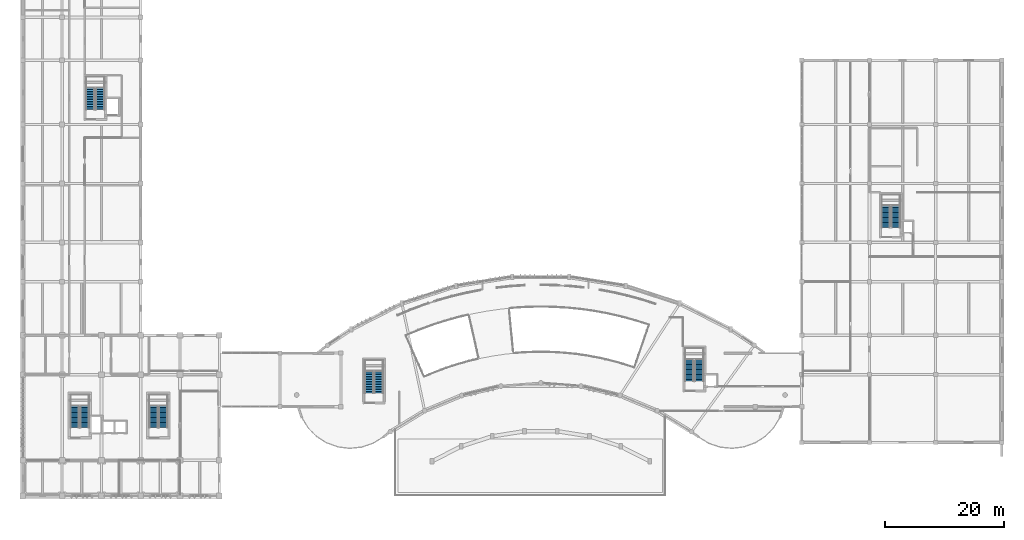
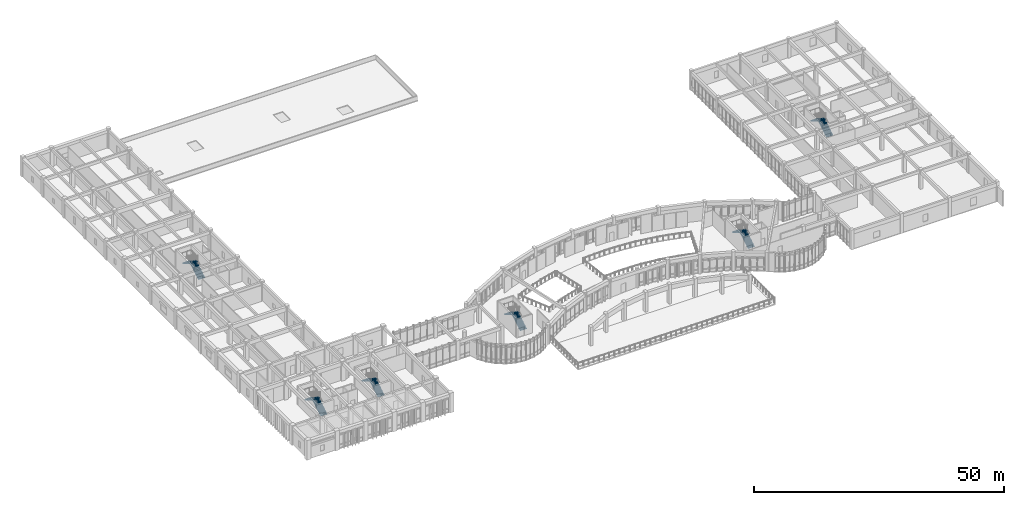
# One storey, part 55 of 65: 12 stair flights, 6 elements without a shape of their own.
"""IFC4 building model written with IfcOpenShell, lengths in metres."""

from ifc_helpers import new_model, si_unit, direction, frame, origin, place, context, subcontext, project, spatial, polyline, outline, extrude, material, layer, layer_set, type_object, element, aggregate, save


model = new_model("IFC4")

# Units and contexts
model_context = context("Model", 3, precision=1e-05, world=origin(), true_north=direction((0.0, 1.0)))
body_context = subcontext(model_context, "Body", "Model", "MODEL_VIEW")
ifc_project = project(units=[si_unit("LENGTHUNIT", "METRE"), si_unit("AREAUNIT", "SQUARE_METRE"), si_unit("VOLUMEUNIT", "CUBIC_METRE"), si_unit("PLANEANGLEUNIT", "RADIAN"), si_unit("MASSUNIT", "GRAM", prefix="KILO")], contexts=[model_context])

# Site, building, storey
site_placement = place(None, origin())
site = spatial("IfcSite", under=ifc_project, at=site_placement, CompositionType="ELEMENT")
building_placement = place(site_placement, origin())
building = spatial("IfcBuilding", under=site, at=building_placement, Name="Miralva Faculty of Natural Sciences", CompositionType="ELEMENT")
storey_placement = place(building_placement, frame((0.0, 0.0, 10.199951171875)))
storey = spatial("IfcBuildingStorey", under=building, at=storey_placement, Name="L02", CompositionType="ELEMENT", Elevation=10.199951171875)

# Stair, stair flights
ifc_material = material(Name="Concrete C40/50", Category="concrete")
stair_type = type_object("IfcStairType", Name="ST-CORE-480", PredefinedType="HALF_TURN_STAIR", material=ifc_material)
stair_1_placement = place(storey_placement, origin())
stair_1 = element("IfcStair", 1, at=stair_1_placement, inside=storey, type_object=stair_type, Name="Exit Stair Core C1 (ST-02) L02", PredefinedType="HALF_TURN_STAIR")
ifc_layer = layer(ifc_material, 0.159912109375, Name="SFL-160-171")
ifc_layer_set = layer_set([ifc_layer], Name="Concrete C40/50")
stair_flight_type = type_object("IfcStairFlightType", Name="SFL-160-171", PredefinedType="STRAIGHT", material=ifc_layer_set)
stair_flight_1_placement = place(storey_placement, frame((13.39990234375, 14.5, 0.0), z_axis=(0.0, 0.0, 1.0), x_axis=(0.0, 1.0, 0.0)))
stair_flight_1 = element("IfcStairFlight", 2, at=stair_flight_1_placement, type_object=stair_flight_type, Name="ST-02 flight 1", NumberOfRisers=14, NumberOfTreads=13, PredefinedType="STRAIGHT", RiserHeight=0.171428571, TreadLength=0.28, context=body_context, shape_type="SweptSolid", body=[
    extrude(outline(polyline([(0.0, 0.0), (0.0, 0.17138671875), (0.280029296875, 0.17138671875), (0.280029296875, 0.3427734375), (0.56005859375, 0.3427734375), (0.56005859375, 0.514404296875), (0.840087890625, 0.514404296875), (0.840087890625, 0.685791015625), (1.1201171875, 0.685791015625), (1.1201171875, 0.857177734375), (1.39990234375, 0.857177734375), (1.39990234375, 1.028564453125), (1.679931640625, 1.028564453125), (1.679931640625, 1.199951171875), (1.9599609375, 1.199951171875), (1.9599609375, 1.371337890625), (2.239990234375, 1.371337890625), (2.239990234375, 1.54296875), (2.52001953125, 1.54296875), (2.52001953125, 1.71435546875), (2.800048828125, 1.71435546875), (2.800048828125, 1.8857421875), (3.080078125, 1.8857421875), (3.080078125, 2.05712890625), (3.360107421875, 2.05712890625), (3.360107421875, 2.228515625), (3.639892578125, 2.228515625), (3.639892578125, 2.39990234375), (3.639892578125, 2.052734375), (0.287109375, 0.0), (0.0, 0.0)])), frame((0.0, 0.75, 0.0), z_axis=(0.0, -1.0, 0.0), x_axis=(1.0, 0.0, 0.0)), (0.0, 0.0, 1.0), 1.5),
])
stair_flight_2_placement = place(storey_placement, frame((11.75, 18.139892578125, 2.400146484375), z_axis=(0.0, 0.0, 1.0), x_axis=(0.0, -1.0, 0.0)))
stair_flight_2 = element("IfcStairFlight", 3, at=stair_flight_2_placement, type_object=stair_flight_type, Name="ST-02 flight 2", NumberOfRisers=14, NumberOfTreads=13, PredefinedType="STRAIGHT", RiserHeight=0.171428571, TreadLength=0.28, context=body_context, shape_type="SweptSolid", body=[
    extrude(outline(polyline([(0.0, 0.0), (0.0, 0.17138671875), (0.280029296875, 0.17138671875), (0.280029296875, 0.3427734375), (0.56005859375, 0.3427734375), (0.56005859375, 0.514404296875), (0.840087890625, 0.514404296875), (0.840087890625, 0.685791015625), (1.1201171875, 0.685791015625), (1.1201171875, 0.857177734375), (1.39990234375, 0.857177734375), (1.39990234375, 1.028564453125), (1.679931640625, 1.028564453125), (1.679931640625, 1.199951171875), (1.9599609375, 1.199951171875), (1.9599609375, 1.371337890625), (2.239990234375, 1.371337890625), (2.239990234375, 1.54296875), (2.52001953125, 1.54296875), (2.52001953125, 1.71435546875), (2.800048828125, 1.71435546875), (2.800048828125, 1.8857421875), (3.080078125, 1.8857421875), (3.080078125, 2.05712890625), (3.360107421875, 2.05712890625), (3.360107421875, 2.228515625), (3.639892578125, 2.228515625), (3.639892578125, 2.39990234375), (3.639892578125, 2.052734375), (0.287109375, 0.0), (0.0, 0.0)])), frame((0.0, 0.75, 0.0), z_axis=(0.0, -1.0, 0.0), x_axis=(1.0, 0.0, 0.0)), (0.0, 0.0, 1.0), 1.5),
])
aggregate(stair_1, [stair_flight_1, stair_flight_2])

stair_2_placement = place(storey_placement, origin())
stair_2 = element("IfcStair", 4, at=stair_2_placement, inside=storey, type_object=stair_type, Name="Exit Stair Core C1B (ST-02) L02", PredefinedType="HALF_TURN_STAIR")
stair_flight_3_placement = place(storey_placement, frame((26.60009765625, 14.5, 0.0), z_axis=(0.0, 0.0, 1.0), x_axis=(0.0, 1.0, 0.0)))
stair_flight_3 = element("IfcStairFlight", 5, at=stair_flight_3_placement, type_object=stair_flight_type, Name="ST-02 flight 1", NumberOfRisers=14, NumberOfTreads=13, PredefinedType="STRAIGHT", RiserHeight=0.171428571, TreadLength=0.28, context=body_context, shape_type="SweptSolid", body=[
    extrude(outline(polyline([(0.0, 0.0), (0.0, 0.17138671875), (0.280029296875, 0.17138671875), (0.280029296875, 0.3427734375), (0.56005859375, 0.3427734375), (0.56005859375, 0.514404296875), (0.840087890625, 0.514404296875), (0.840087890625, 0.685791015625), (1.1201171875, 0.685791015625), (1.1201171875, 0.857177734375), (1.39990234375, 0.857177734375), (1.39990234375, 1.028564453125), (1.679931640625, 1.028564453125), (1.679931640625, 1.199951171875), (1.9599609375, 1.199951171875), (1.9599609375, 1.371337890625), (2.239990234375, 1.371337890625), (2.239990234375, 1.54296875), (2.52001953125, 1.54296875), (2.52001953125, 1.71435546875), (2.800048828125, 1.71435546875), (2.800048828125, 1.8857421875), (3.080078125, 1.8857421875), (3.080078125, 2.05712890625), (3.360107421875, 2.05712890625), (3.360107421875, 2.228515625), (3.639892578125, 2.228515625), (3.639892578125, 2.39990234375), (3.639892578125, 2.052734375), (0.287109375, 0.0), (0.0, 0.0)])), frame((0.0, 0.75, 0.0), z_axis=(0.0, -1.0, 0.0), x_axis=(1.0, 0.0, 0.0)), (0.0, 0.0, 1.0), 1.5),
])
stair_flight_4_placement = place(storey_placement, frame((24.949951171875, 18.139892578125, 2.400146484375), z_axis=(0.0, 0.0, 1.0), x_axis=(0.0, -1.0, 0.0)))
stair_flight_4 = element("IfcStairFlight", 6, at=stair_flight_4_placement, type_object=stair_flight_type, Name="ST-02 flight 2", NumberOfRisers=14, NumberOfTreads=13, PredefinedType="STRAIGHT", RiserHeight=0.171428571, TreadLength=0.28, context=body_context, shape_type="SweptSolid", body=[
    extrude(outline(polyline([(0.0, 0.0), (0.0, 0.17138671875), (0.280029296875, 0.17138671875), (0.280029296875, 0.3427734375), (0.56005859375, 0.3427734375), (0.56005859375, 0.514404296875), (0.840087890625, 0.514404296875), (0.840087890625, 0.685791015625), (1.1201171875, 0.685791015625), (1.1201171875, 0.857177734375), (1.39990234375, 0.857177734375), (1.39990234375, 1.028564453125), (1.679931640625, 1.028564453125), (1.679931640625, 1.199951171875), (1.9599609375, 1.199951171875), (1.9599609375, 1.371337890625), (2.239990234375, 1.371337890625), (2.239990234375, 1.54296875), (2.52001953125, 1.54296875), (2.52001953125, 1.71435546875), (2.800048828125, 1.71435546875), (2.800048828125, 1.8857421875), (3.080078125, 1.8857421875), (3.080078125, 2.05712890625), (3.360107421875, 2.05712890625), (3.360107421875, 2.228515625), (3.639892578125, 2.228515625), (3.639892578125, 2.39990234375), (3.639892578125, 2.052734375), (0.287109375, 0.0), (0.0, 0.0)])), frame((0.0, 0.75, 0.0), z_axis=(0.0, -1.0, 0.0), x_axis=(1.0, 0.0, 0.0)), (0.0, 0.0, 1.0), 1.5),
])
aggregate(stair_2, [stair_flight_3, stair_flight_4])

stair_3_placement = place(storey_placement, origin())
stair_3 = element("IfcStair", 7, at=stair_3_placement, inside=storey, type_object=stair_type, Name="Exit Stair Core C2 (ST-02) L02", PredefinedType="HALF_TURN_STAIR")
stair_flight_5_placement = place(storey_placement, frame((16.0, 67.89990234375, 0.0), z_axis=(0.0, 0.0, 1.0), x_axis=(0.0, 1.0, 0.0)))
stair_flight_5 = element("IfcStairFlight", 8, at=stair_flight_5_placement, type_object=stair_flight_type, Name="ST-02 flight 1", NumberOfRisers=14, NumberOfTreads=13, PredefinedType="STRAIGHT", RiserHeight=0.171428571, TreadLength=0.28, context=body_context, shape_type="SweptSolid", body=[
    extrude(outline(polyline([(0.0, 0.0), (0.0, 0.17138671875), (0.280029296875, 0.17138671875), (0.280029296875, 0.3427734375), (0.56005859375, 0.3427734375), (0.56005859375, 0.514404296875), (0.840087890625, 0.514404296875), (0.840087890625, 0.685791015625), (1.1201171875, 0.685791015625), (1.1201171875, 0.857177734375), (1.39990234375, 0.857177734375), (1.39990234375, 1.028564453125), (1.679931640625, 1.028564453125), (1.679931640625, 1.199951171875), (1.9599609375, 1.199951171875), (1.9599609375, 1.371337890625), (2.239990234375, 1.371337890625), (2.239990234375, 1.54296875), (2.52001953125, 1.54296875), (2.52001953125, 1.71435546875), (2.800048828125, 1.71435546875), (2.800048828125, 1.8857421875), (3.080078125, 1.8857421875), (3.080078125, 2.05712890625), (3.360107421875, 2.05712890625), (3.360107421875, 2.228515625), (3.639892578125, 2.228515625), (3.639892578125, 2.39990234375), (3.639892578125, 2.052734375), (0.287109375, 0.0), (0.0, 0.0)])), frame((0.0, 0.75, 0.0), z_axis=(0.0, -1.0, 0.0), x_axis=(1.0, 0.0, 0.0)), (0.0, 0.0, 1.0), 1.5),
])
stair_flight_6_placement = place(storey_placement, frame((14.35009765625, 71.5400390625, 2.400146484375), z_axis=(0.0, 0.0, 1.0), x_axis=(0.0, -1.0, 0.0)))
stair_flight_6 = element("IfcStairFlight", 9, at=stair_flight_6_placement, type_object=stair_flight_type, Name="ST-02 flight 2", NumberOfRisers=14, NumberOfTreads=13, PredefinedType="STRAIGHT", RiserHeight=0.171428571, TreadLength=0.28, context=body_context, shape_type="SweptSolid", body=[
    extrude(outline(polyline([(0.0, 0.0), (0.0, 0.17138671875), (0.280029296875, 0.17138671875), (0.280029296875, 0.3427734375), (0.56005859375, 0.3427734375), (0.56005859375, 0.514404296875), (0.840087890625, 0.514404296875), (0.840087890625, 0.685791015625), (1.1201171875, 0.685791015625), (1.1201171875, 0.857177734375), (1.39990234375, 0.857177734375), (1.39990234375, 1.028564453125), (1.679931640625, 1.028564453125), (1.679931640625, 1.199951171875), (1.9599609375, 1.199951171875), (1.9599609375, 1.371337890625), (2.239990234375, 1.371337890625), (2.239990234375, 1.54296875), (2.52001953125, 1.54296875), (2.52001953125, 1.71435546875), (2.800048828125, 1.71435546875), (2.800048828125, 1.8857421875), (3.080078125, 1.8857421875), (3.080078125, 2.05712890625), (3.360107421875, 2.05712890625), (3.360107421875, 2.228515625), (3.639892578125, 2.228515625), (3.639892578125, 2.39990234375), (3.639892578125, 2.052734375), (0.287109375, 0.0), (0.0, 0.0)])), frame((0.0, 0.75, 0.0), z_axis=(0.0, -1.0, 0.0), x_axis=(1.0, 0.0, 0.0)), (0.0, 0.0, 1.0), 1.5),
])
aggregate(stair_3, [stair_flight_5, stair_flight_6])

stair_4_placement = place(storey_placement, origin())
stair_4 = element("IfcStair", 10, at=stair_4_placement, inside=storey, type_object=stair_type, Name="Exit Stair Core C3 (ST-02) L02", PredefinedType="HALF_TURN_STAIR")
stair_flight_7_placement = place(storey_placement, frame((116.60009765625, 22.300048828125, 0.0), z_axis=(0.0, 0.0, 1.0), x_axis=(0.0, 1.0, 0.0)))
stair_flight_7 = element("IfcStairFlight", 11, at=stair_flight_7_placement, type_object=stair_flight_type, Name="ST-02 flight 1", NumberOfRisers=14, NumberOfTreads=13, PredefinedType="STRAIGHT", RiserHeight=0.171428571, TreadLength=0.28, context=body_context, shape_type="SweptSolid", body=[
    extrude(outline(polyline([(0.0, 0.0), (0.0, 0.17138671875), (0.280029296875, 0.17138671875), (0.280029296875, 0.3427734375), (0.56005859375, 0.3427734375), (0.56005859375, 0.514404296875), (0.840087890625, 0.514404296875), (0.840087890625, 0.685791015625), (1.1201171875, 0.685791015625), (1.1201171875, 0.857177734375), (1.39990234375, 0.857177734375), (1.39990234375, 1.028564453125), (1.679931640625, 1.028564453125), (1.679931640625, 1.199951171875), (1.9599609375, 1.199951171875), (1.9599609375, 1.371337890625), (2.239990234375, 1.371337890625), (2.239990234375, 1.54296875), (2.52001953125, 1.54296875), (2.52001953125, 1.71435546875), (2.800048828125, 1.71435546875), (2.800048828125, 1.8857421875), (3.080078125, 1.8857421875), (3.080078125, 2.05712890625), (3.360107421875, 2.05712890625), (3.360107421875, 2.228515625), (3.639892578125, 2.228515625), (3.639892578125, 2.39990234375), (3.639892578125, 2.052734375), (0.287109375, 0.0), (0.0, 0.0)])), frame((0.0, 0.75, 0.0), z_axis=(0.0, -1.0, 0.0), x_axis=(1.0, 0.0, 0.0)), (0.0, 0.0, 1.0), 1.5),
])
stair_flight_8_placement = place(storey_placement, frame((114.949951171875, 25.93994140625, 2.400146484375), z_axis=(0.0, 0.0, 1.0), x_axis=(0.0, -1.0, 0.0)))
stair_flight_8 = element("IfcStairFlight", 12, at=stair_flight_8_placement, type_object=stair_flight_type, Name="ST-02 flight 2", NumberOfRisers=14, NumberOfTreads=13, PredefinedType="STRAIGHT", RiserHeight=0.171428571, TreadLength=0.28, context=body_context, shape_type="SweptSolid", body=[
    extrude(outline(polyline([(0.0, 0.0), (0.0, 0.17138671875), (0.280029296875, 0.17138671875), (0.280029296875, 0.3427734375), (0.56005859375, 0.3427734375), (0.56005859375, 0.514404296875), (0.840087890625, 0.514404296875), (0.840087890625, 0.685791015625), (1.1201171875, 0.685791015625), (1.1201171875, 0.857177734375), (1.39990234375, 0.857177734375), (1.39990234375, 1.028564453125), (1.679931640625, 1.028564453125), (1.679931640625, 1.199951171875), (1.9599609375, 1.199951171875), (1.9599609375, 1.371337890625), (2.239990234375, 1.371337890625), (2.239990234375, 1.54296875), (2.52001953125, 1.54296875), (2.52001953125, 1.71435546875), (2.800048828125, 1.71435546875), (2.800048828125, 1.8857421875), (3.080078125, 1.8857421875), (3.080078125, 2.05712890625), (3.360107421875, 2.05712890625), (3.360107421875, 2.228515625), (3.639892578125, 2.228515625), (3.639892578125, 2.39990234375), (3.639892578125, 2.052734375), (0.287109375, 0.0), (0.0, 0.0)])), frame((0.0, 0.75, 0.0), z_axis=(0.0, -1.0, 0.0), x_axis=(1.0, 0.0, 0.0)), (0.0, 0.0, 1.0), 1.5),
])
aggregate(stair_4, [stair_flight_7, stair_flight_8])

stair_5_placement = place(storey_placement, origin())
stair_5 = element("IfcStair", 13, at=stair_5_placement, inside=storey, type_object=stair_type, Name="Exit Stair Core C4 (ST-02) L02", PredefinedType="HALF_TURN_STAIR")
stair_flight_9_placement = place(storey_placement, frame((149.60009765625, 48.10009765625, 0.0), z_axis=(0.0, 0.0, 1.0), x_axis=(0.0, 1.0, 0.0)))
stair_flight_9 = element("IfcStairFlight", 14, at=stair_flight_9_placement, type_object=stair_flight_type, Name="ST-02 flight 1", NumberOfRisers=14, NumberOfTreads=13, PredefinedType="STRAIGHT", RiserHeight=0.171428571, TreadLength=0.28, context=body_context, shape_type="SweptSolid", body=[
    extrude(outline(polyline([(0.0, 0.0), (0.0, 0.17138671875), (0.280029296875, 0.17138671875), (0.280029296875, 0.3427734375), (0.56005859375, 0.3427734375), (0.56005859375, 0.514404296875), (0.840087890625, 0.514404296875), (0.840087890625, 0.685791015625), (1.1201171875, 0.685791015625), (1.1201171875, 0.857177734375), (1.39990234375, 0.857177734375), (1.39990234375, 1.028564453125), (1.679931640625, 1.028564453125), (1.679931640625, 1.199951171875), (1.9599609375, 1.199951171875), (1.9599609375, 1.371337890625), (2.239990234375, 1.371337890625), (2.239990234375, 1.54296875), (2.52001953125, 1.54296875), (2.52001953125, 1.71435546875), (2.800048828125, 1.71435546875), (2.800048828125, 1.8857421875), (3.080078125, 1.8857421875), (3.080078125, 2.05712890625), (3.360107421875, 2.05712890625), (3.360107421875, 2.228515625), (3.639892578125, 2.228515625), (3.639892578125, 2.39990234375), (3.639892578125, 2.052734375), (0.287109375, 0.0), (0.0, 0.0)])), frame((0.0, 0.75, 0.0), z_axis=(0.0, -1.0, 0.0), x_axis=(1.0, 0.0, 0.0)), (0.0, 0.0, 1.0), 1.5),
])
stair_flight_10_placement = place(storey_placement, frame((147.949951171875, 51.739990234375, 2.400146484375), z_axis=(0.0, 0.0, 1.0), x_axis=(0.0, -1.0, 0.0)))
stair_flight_10 = element("IfcStairFlight", 15, at=stair_flight_10_placement, type_object=stair_flight_type, Name="ST-02 flight 2", NumberOfRisers=14, NumberOfTreads=13, PredefinedType="STRAIGHT", RiserHeight=0.171428571, TreadLength=0.28, context=body_context, shape_type="SweptSolid", body=[
    extrude(outline(polyline([(0.0, 0.0), (0.0, 0.17138671875), (0.280029296875, 0.17138671875), (0.280029296875, 0.3427734375), (0.56005859375, 0.3427734375), (0.56005859375, 0.514404296875), (0.840087890625, 0.514404296875), (0.840087890625, 0.685791015625), (1.1201171875, 0.685791015625), (1.1201171875, 0.857177734375), (1.39990234375, 0.857177734375), (1.39990234375, 1.028564453125), (1.679931640625, 1.028564453125), (1.679931640625, 1.199951171875), (1.9599609375, 1.199951171875), (1.9599609375, 1.371337890625), (2.239990234375, 1.371337890625), (2.239990234375, 1.54296875), (2.52001953125, 1.54296875), (2.52001953125, 1.71435546875), (2.800048828125, 1.71435546875), (2.800048828125, 1.8857421875), (3.080078125, 1.8857421875), (3.080078125, 2.05712890625), (3.360107421875, 2.05712890625), (3.360107421875, 2.228515625), (3.639892578125, 2.228515625), (3.639892578125, 2.39990234375), (3.639892578125, 2.052734375), (0.287109375, 0.0), (0.0, 0.0)])), frame((0.0, 0.75, 0.0), z_axis=(0.0, -1.0, 0.0), x_axis=(1.0, 0.0, 0.0)), (0.0, 0.0, 1.0), 1.5),
])
aggregate(stair_5, [stair_flight_9, stair_flight_10])

stair_6_placement = place(storey_placement, origin())
stair_6 = element("IfcStair", 16, at=stair_6_placement, inside=storey, type_object=stair_type, Name="Exit Stair Core C6 (ST-02) L02", PredefinedType="HALF_TURN_STAIR")
stair_flight_11_placement = place(storey_placement, frame((62.800048828125, 20.300048828125, 0.0), z_axis=(0.0, 0.0, 1.0), x_axis=(0.0, 1.0, 0.0)))
stair_flight_11 = element("IfcStairFlight", 17, at=stair_flight_11_placement, type_object=stair_flight_type, Name="ST-02 flight 1", NumberOfRisers=14, NumberOfTreads=13, PredefinedType="STRAIGHT", RiserHeight=0.171428571, TreadLength=0.28, context=body_context, shape_type="SweptSolid", body=[
    extrude(outline(polyline([(0.0, 0.0), (0.0, 0.17138671875), (0.280029296875, 0.17138671875), (0.280029296875, 0.3427734375), (0.56005859375, 0.3427734375), (0.56005859375, 0.514404296875), (0.840087890625, 0.514404296875), (0.840087890625, 0.685791015625), (1.1201171875, 0.685791015625), (1.1201171875, 0.857177734375), (1.39990234375, 0.857177734375), (1.39990234375, 1.028564453125), (1.679931640625, 1.028564453125), (1.679931640625, 1.199951171875), (1.9599609375, 1.199951171875), (1.9599609375, 1.371337890625), (2.239990234375, 1.371337890625), (2.239990234375, 1.54296875), (2.52001953125, 1.54296875), (2.52001953125, 1.71435546875), (2.800048828125, 1.71435546875), (2.800048828125, 1.8857421875), (3.080078125, 1.8857421875), (3.080078125, 2.05712890625), (3.360107421875, 2.05712890625), (3.360107421875, 2.228515625), (3.639892578125, 2.228515625), (3.639892578125, 2.39990234375), (3.639892578125, 2.052734375), (0.287109375, 0.0), (0.0, 0.0)])), frame((0.0, 0.75, 0.0), z_axis=(0.0, -1.0, 0.0), x_axis=(1.0, 0.0, 0.0)), (0.0, 0.0, 1.0), 1.5),
])
stair_flight_12_placement = place(storey_placement, frame((61.14990234375, 23.93994140625, 2.400146484375), z_axis=(0.0, 0.0, 1.0), x_axis=(0.0, -1.0, 0.0)))
stair_flight_12 = element("IfcStairFlight", 18, at=stair_flight_12_placement, type_object=stair_flight_type, Name="ST-02 flight 2", NumberOfRisers=14, NumberOfTreads=13, PredefinedType="STRAIGHT", RiserHeight=0.171428571, TreadLength=0.28, context=body_context, shape_type="SweptSolid", body=[
    extrude(outline(polyline([(0.0, 0.0), (0.0, 0.17138671875), (0.280029296875, 0.17138671875), (0.280029296875, 0.3427734375), (0.56005859375, 0.3427734375), (0.56005859375, 0.514404296875), (0.840087890625, 0.514404296875), (0.840087890625, 0.685791015625), (1.1201171875, 0.685791015625), (1.1201171875, 0.857177734375), (1.39990234375, 0.857177734375), (1.39990234375, 1.028564453125), (1.679931640625, 1.028564453125), (1.679931640625, 1.199951171875), (1.9599609375, 1.199951171875), (1.9599609375, 1.371337890625), (2.239990234375, 1.371337890625), (2.239990234375, 1.54296875), (2.52001953125, 1.54296875), (2.52001953125, 1.71435546875), (2.800048828125, 1.71435546875), (2.800048828125, 1.8857421875), (3.080078125, 1.8857421875), (3.080078125, 2.05712890625), (3.360107421875, 2.05712890625), (3.360107421875, 2.228515625), (3.639892578125, 2.228515625), (3.639892578125, 2.39990234375), (3.639892578125, 2.052734375), (0.287109375, 0.0), (0.0, 0.0)])), frame((0.0, 0.75, 0.0), z_axis=(0.0, -1.0, 0.0), x_axis=(1.0, 0.0, 0.0)), (0.0, 0.0, 1.0), 1.5),
])
aggregate(stair_6, [stair_flight_11, stair_flight_12])

save(model, "model.ifc")
